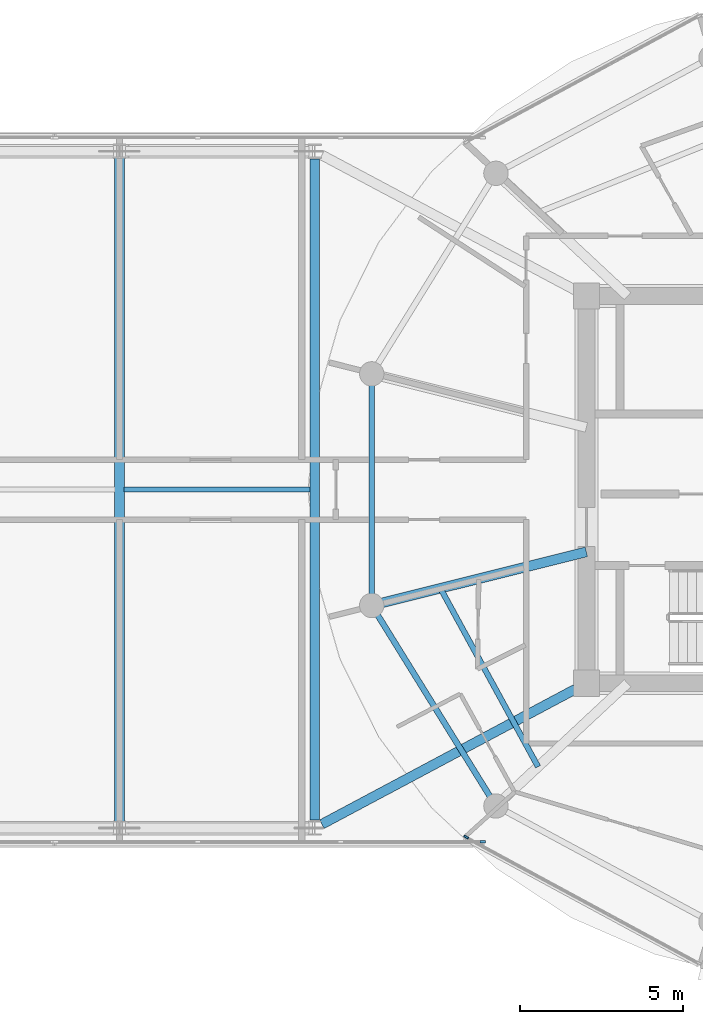
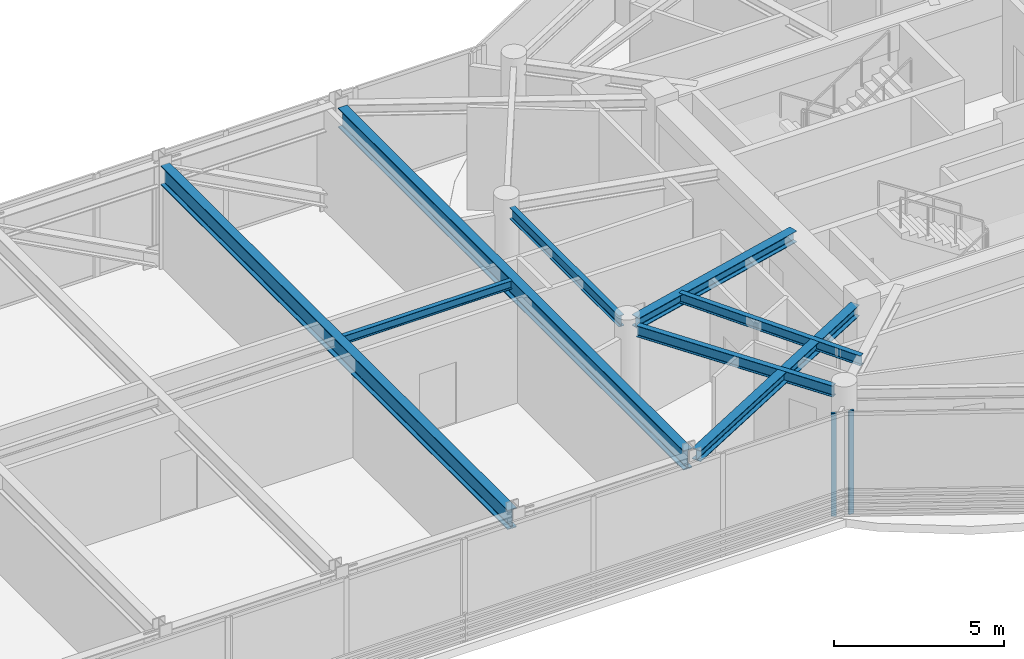
# One storey, part 7 of 24: 8 beams, 2 members, 2 elements without a shape of their own.
"""IFC4 building model written with IfcOpenShell, lengths in metres."""

import ifcopenshell
import ifcopenshell.guid

model = None  # the IFC model being written
_history = None  # IfcOwnerHistory: only IFC2X3 demands one
_inside = {}  # id of a spatial element -> (the spatial element, [elements in it])
_under = {}  # id of a project, library or spatial element -> (it, [spatial elements below it])
_declared = {}  # id of a project -> (the project, [libraries it declares])
_typed = {}  # id of a type object -> (the type object, [elements of that type])
_made_of = {}  # id of a material, layer set ... -> (it, [elements and type objects made of it])


def new_model(schema):
    """Start an empty IFC model of exactly this schema.

    Asked for "IFC4X3", IfcOpenShell would pick the latest addendum, in which some entities
    have other attributes; the version numbers below select the first issue.
    IFC2X3 requires an IfcOwnerHistory on every rooted entity: one is made here for all.
    """
    global model, _history
    if schema == "IFC4X3":
        model = ifcopenshell.file(schema_version=(4, 3, 0, 0))
    else:
        model = ifcopenshell.file(schema=schema)
    _inside.clear()
    _under.clear()
    _declared.clear()
    _typed.clear()
    _made_of.clear()
    _history = None
    if model.schema == "IFC2X3":
        org = make("IfcOrganization", Name="unknown")
        user = make(
            "IfcPersonAndOrganization",
            ThePerson=make("IfcPerson", FamilyName="unknown"),
            TheOrganization=org,
        )
        app = make(
            "IfcApplication",
            ApplicationDeveloper=org,
            Version="unknown",
            ApplicationFullName="unknown",
            ApplicationIdentifier="unknown",
        )
        _history = make(
            "IfcOwnerHistory",
            OwningUser=user,
            OwningApplication=app,
            ChangeAction="ADDED",
            CreationDate=0,
        )
    return model


def make(cls, **values):
    """One entity of the class cls with the attributes given. An attribute that is None is left unset."""
    return model.create_entity(
        cls, **{name: value for name, value in values.items() if value is not None}
    )


def rooted(cls, **values):
    """An entity with a GlobalId (a new one), such as an element, a storey or a relation."""
    return make(cls, GlobalId=ifcopenshell.guid.new(), OwnerHistory=_history, **values)


def si_unit(unit_type, name, prefix=None):
    """IfcSIUnit, for example si_unit("LENGTHUNIT", "METRE", prefix="MILLI")."""
    return make("IfcSIUnit", UnitType=unit_type, Prefix=prefix, Name=name)


def assignment(units):
    """IfcUnitAssignment: the units of a project."""
    return None if units is None else make("IfcUnitAssignment", Units=units)


def point(xyz):
    """IfcCartesianPoint."""
    return None if xyz is None else make("IfcCartesianPoint", Coordinates=xyz)


def direction(xyz):
    """IfcDirection."""
    return None if xyz is None else make("IfcDirection", DirectionRatios=xyz)


def frame(location, z_axis=None, x_axis=None):
    """IfcAxis2Placement3D, a coordinate frame: its origin and axes. An axis left out is left unset."""
    return make(
        "IfcAxis2Placement3D",
        Location=point(location),
        Axis=direction(z_axis),
        RefDirection=direction(x_axis),
    )


def frame_2d(location, x_axis=None):
    """IfcAxis2Placement2D, a coordinate frame in the plane: its origin and x axis."""
    return make(
        "IfcAxis2Placement2D", Location=point(location), RefDirection=direction(x_axis)
    )


def origin():
    """The frame at (0, 0, 0) with its axes left unset."""
    return frame((0.0, 0.0, 0.0))


def origin_2d():
    """The frame at (0, 0) in the plane with its x axis left unset."""
    return frame_2d((0.0, 0.0))


def place(relative_to, where):
    """IfcLocalPlacement: puts the frame where relative to a parent placement (None: the world)."""
    return make(
        "IfcLocalPlacement", PlacementRelTo=relative_to, RelativePlacement=where
    )


def context(
    kind, dimensions, precision=None, world=None, true_north=None, identifier=None
):
    """IfcGeometricRepresentationContext, for example the 3D "Model" context."""
    return make(
        "IfcGeometricRepresentationContext",
        ContextIdentifier=identifier,
        ContextType=kind,
        CoordinateSpaceDimension=dimensions,
        Precision=precision,
        WorldCoordinateSystem=world,
        TrueNorth=true_north,
    )


def subcontext(parent, identifier, kind, view, scale=None):
    """IfcGeometricRepresentationSubContext, for example "Body" below "Model"."""
    return make(
        "IfcGeometricRepresentationSubContext",
        ContextIdentifier=identifier,
        ContextType=kind,
        ParentContext=parent,
        TargetScale=scale,
        TargetView=view,
    )


def project(units=None, contexts=None):
    """IfcProject with its units and contexts."""
    return rooted(
        "IfcProject",
        Name="project",
        RepresentationContexts=contexts,
        UnitsInContext=assignment(units),
    )


def spatial(cls, under=None, at=None, **own):
    """A site, building, storey or space (cls), placed at a placement, below another one or the project."""
    s = rooted(cls, ObjectPlacement=at, **own)
    if under is not None:
        _under.setdefault(under.id(), (under, []))[1].append(s)
    return s


def profile(cls, at=None, kind="AREA", **sizes):
    """A parametric profile (cls). Its sizes go by their IFC names, for example OverallWidth=200.0."""
    return make(cls, ProfileType=kind, Position=at, **sizes)


def rectangle(**sizes):
    """IfcRectangleProfileDef."""
    return profile("IfcRectangleProfileDef", **sizes)


def i_section(**sizes):
    """IfcIShapeProfileDef."""
    return profile("IfcIShapeProfileDef", **sizes)


def extrude(swept, where, along, depth):
    """IfcExtrudedAreaSolid: the profile swept, set in the frame where, extruded along a direction by depth."""
    return make(
        "IfcExtrudedAreaSolid",
        SweptArea=swept,
        Position=where,
        ExtrudedDirection=direction(along),
        Depth=depth,
    )


def shape(context_of_items, identifier, shape_type, items):
    """IfcShapeRepresentation: the items that make up one representation, for example the "Body"."""
    return make(
        "IfcShapeRepresentation",
        ContextOfItems=context_of_items,
        RepresentationIdentifier=identifier,
        RepresentationType=shape_type,
        Items=items,
    )


def source(mapping_origin, context_of_items, identifier, shape_type, items):
    """IfcRepresentationMap: a shape defined once, which mapped items show again and again."""
    return make(
        "IfcRepresentationMap",
        MappingOrigin=mapping_origin,
        MappedRepresentation=shape(context_of_items, identifier, shape_type, items),
    )


def transform(
    local_origin,
    x_axis=None,
    y_axis=None,
    z_axis=None,
    scale=None,
    scale2=None,
    scale3=None,
    uniform=True,
):
    """IfcCartesianTransformationOperator3D, or its non-uniform kind. x_axis, y_axis, z_axis: its Axis1, 2, 3."""
    if uniform:
        return make(
            "IfcCartesianTransformationOperator3D",
            Axis1=direction(x_axis),
            Axis2=direction(y_axis),
            LocalOrigin=point(local_origin),
            Scale=scale,
            Axis3=direction(z_axis),
        )
    return make(
        "IfcCartesianTransformationOperator3DnonUniform",
        Axis1=direction(x_axis),
        Axis2=direction(y_axis),
        LocalOrigin=point(local_origin),
        Scale=scale,
        Axis3=direction(z_axis),
        Scale2=scale2,
        Scale3=scale3,
    )


def mapped(mapping_source, mapping_target):
    """IfcMappedItem: shows the shape of a source again, moved by a transform."""
    return make(
        "IfcMappedItem", MappingSource=mapping_source, MappingTarget=mapping_target
    )


def material(Name=None, Category=None):
    """IfcMaterial."""
    return make("IfcMaterial", Name=Name, Category=Category)


def layer(
    of_material, thickness, ventilated=None, Name=None, Category=None, Priority=None
):
    """IfcMaterialLayer: one layer of a wall or slab, of a material (None: an air gap)."""
    return make(
        "IfcMaterialLayer",
        Material=of_material,
        LayerThickness=thickness,
        IsVentilated=ventilated,
        Name=Name,
        Category=Category,
        Priority=Priority,
    )


def layer_set(layers, Name=None):
    """IfcMaterialLayerSet."""
    return make("IfcMaterialLayerSet", MaterialLayers=layers, LayerSetName=Name)


def material_profile(
    of_material, cross_section, Name=None, Category=None, Priority=None
):
    """IfcMaterialProfile: a cross section and its material."""
    return make(
        "IfcMaterialProfile",
        Name=Name,
        Material=of_material,
        Profile=cross_section,
        Priority=Priority,
        Category=Category,
    )


def profile_set(profiles, Name=None, composite=None):
    """IfcMaterialProfileSet."""
    return make(
        "IfcMaterialProfileSet",
        Name=Name,
        MaterialProfiles=profiles,
        CompositeProfile=composite,
    )


def made_of(thing, what):
    """Note that an element or type object is made of a material, layer set ...; save() writes the relation."""
    if what is not None:
        _made_of.setdefault(what.id(), (what, []))[1].append(thing)
    return thing


def type_object(cls, material=None, **own):
    """A type object (cls), such as IfcWallType, which elements share."""
    return made_of(rooted(cls, **own), material)


def type_shapes(of_type, sources):
    """Give a type object the sources (RepresentationMaps) that its elements show as mapped items."""
    of_type.RepresentationMaps = sources


def element(
    cls,
    number,
    at=None,
    inside=None,
    cuts=None,
    type_object=None,
    material=None,
    context=None,
    identifier="Body",
    shape_type=None,
    held_by="IfcProductDefinitionShape",
    body=None,
    shapes=None,
    **own,
):
    """One element of the class cls, such as IfcWall. Its Tag is "e" and its number.

    at: its placement. inside: the storey or other place that contains it. cuts: it is an
    opening in that element (IfcRelVoidsElement). A single representation is given by context,
    identifier, shape_type and body (its items); several are given by shapes. held_by: the class
    of the entity that holds the representations. save() writes the other relations.
    """
    e = rooted(cls, Tag="e%d" % number, ObjectPlacement=at, **own)
    if body is not None:
        shapes = [shape(context, identifier, shape_type, body)]
    if shapes is not None:
        e.Representation = make(held_by, Representations=shapes)
    if inside is not None:
        _inside.setdefault(inside.id(), (inside, []))[1].append(e)
    if cuts is not None:
        rooted(
            "IfcRelVoidsElement", RelatingBuildingElement=cuts, RelatedOpeningElement=e
        )
    if type_object is not None:
        _typed.setdefault(type_object.id(), (type_object, []))[1].append(e)
    return made_of(e, material)


def aggregate(whole, parts):
    """IfcRelAggregates: a whole, such as a stair, and the parts it consists of."""
    return rooted("IfcRelAggregates", RelatingObject=whole, RelatedObjects=parts)


def save(model, path):
    """Write the relations noted so far, then the file.

    IfcRelAggregates (storeys below a building ...), IfcRelContainedInSpatialStructure (elements
    in a storey), IfcRelDefinesByType, IfcRelAssociatesMaterial and IfcRelDeclares: one each for
    every whole, place, type object, material and project.
    """
    for whole, parts in _under.values():
        aggregate(whole, parts)
    for where, things in _inside.values():
        rooted(
            "IfcRelContainedInSpatialStructure",
            RelatedElements=things,
            RelatingStructure=where,
        )
    for kind, things in _typed.values():
        rooted("IfcRelDefinesByType", RelatedObjects=things, RelatingType=kind)
    for what, things in _made_of.values():
        rooted("IfcRelAssociatesMaterial", RelatedObjects=things, RelatingMaterial=what)
    for by, libraries in _declared.values():
        rooted("IfcRelDeclares", RelatingContext=by, RelatedDefinitions=libraries)
    model.write(path)


model = new_model("IFC4")

# Units and contexts
model_context = context("Model", 3, precision=1e-05, world=origin(), true_north=direction((0.0, 1.0)))
body_context = subcontext(model_context, "Body", "Model", "MODEL_VIEW")
ifc_project = project(units=[si_unit("LENGTHUNIT", "METRE"), si_unit("AREAUNIT", "SQUARE_METRE"), si_unit("VOLUMEUNIT", "CUBIC_METRE"), si_unit("PLANEANGLEUNIT", "RADIAN"), si_unit("MASSUNIT", "GRAM", prefix="KILO")], contexts=[model_context])

# Site, building, storey
site_placement = place(None, origin())
site = spatial("IfcSite", under=ifc_project, at=site_placement, CompositionType="ELEMENT")
building_placement = place(site_placement, origin())
building = spatial("IfcBuilding", under=site, at=building_placement, Name="Norrkilde Senior Care Towers", CompositionType="ELEMENT")
storey_placement = place(building_placement, frame((0.0, 0.0, 203.800048828125)))
storey = spatial("IfcBuildingStorey", under=building, at=storey_placement, Name="L63", CompositionType="ELEMENT", Elevation=203.800048828125)

# Beams
ifc_material_1 = material(Name="Steel S355", Category="steel")
ifc_material_profile_1 = material_profile(ifc_material_1, i_section(OverallWidth=0.179931640625, OverallDepth=0.39990234375, WebThickness=0.008544921875, FlangeThickness=0.013427734375, FilletRadius=0.02099609375, at=origin_2d()), Name="IPE 400")
ifc_profile_set_1 = profile_set([ifc_material_profile_1], Name="Steel S355")
beam_type_1 = type_object("IfcBeamType", Name="Perimeter Ring Spandrel Z4 IPE400", PredefinedType="SPANDREL", material=ifc_profile_set_1)
shared_shape_1 = source(origin(), body_context, "Body", "SweptSolid", [
    extrude(i_section(OverallWidth=0.179931640625, OverallDepth=0.39990234375, WebThickness=0.008544921875, FlangeThickness=0.013427734375, FilletRadius=0.02099609375, at=origin_2d()), origin(), (0.0, 0.0, 1.0), 6.58056640625),
])
beam_1_placement = place(storey_placement, frame((13.928955078125, -3.843505859375, 3.510009765625), z_axis=(0.526529583789, -0.850156807533, 0.0), x_axis=(0.850156807533, 0.526529583789, 0.0)))
element("IfcBeam", 1, at=beam_1_placement, inside=storey, type_object=beam_type_1, Name="L63 Drum E Perimeter Spandrel 07", PredefinedType="SPANDREL", context=body_context, shape_type="MappedRepresentation", body=[
    mapped(shared_shape_1, transform((0.0, 0.0, 0.0), x_axis=(1.0, 0.0, 0.0), y_axis=(0.0, 1.0, 0.0), z_axis=(0.0, 0.0, 1.0), scale=1.0)),
])
ifc_material_profile_2 = material_profile(ifc_material_1, i_section(OverallWidth=0.300048828125, OverallDepth=0.39990234375, WebThickness=0.013427734375, FlangeThickness=0.02392578125, FilletRadius=0.027099609375, at=origin_2d()), Name="HEB 400")
ifc_profile_set_2 = profile_set([ifc_material_profile_2], Name="Steel S355")
beam_type_2 = type_object("IfcBeamType", Name="Radial Floor Beam Z4 HEB400", PredefinedType="BEAM", material=ifc_profile_set_2)
shared_shape_2 = source(origin(), body_context, "Body", "SweptSolid", [
    extrude(i_section(OverallWidth=0.300048828125, OverallDepth=0.39990234375, WebThickness=0.013427734375, FlangeThickness=0.02392578125, FilletRadius=0.027099609375, at=origin_2d()), origin(), (0.0, 0.0, 1.0), 6.465087890625),
])
beam_2_placement = place(storey_placement, frame((20.35009765625, -1.910888671875, 3.510009765625), z_axis=(-0.970195788563, -0.242322371758, 0.0), x_axis=(0.242322371758, -0.970195788563, 0.0)))
element("IfcBeam", 2, at=beam_2_placement, inside=storey, type_object=beam_type_2, Name="L63 Drum E Radial Floor Beam 07", PredefinedType="BEAM", context=body_context, shape_type="MappedRepresentation", body=[
    mapped(shared_shape_2, transform((0.0, 0.0, 0.0), x_axis=(1.0, 0.0, 0.0), y_axis=(0.0, 1.0, 0.0), z_axis=(0.0, 0.0, 1.0), scale=1.0)),
])
shared_shape_3 = source(origin(), body_context, "Body", "SweptSolid", [
    extrude(i_section(OverallWidth=0.179931640625, OverallDepth=0.39990234375, WebThickness=0.008544921875, FlangeThickness=0.013427734375, FilletRadius=0.02099609375, at=origin_2d()), origin(), (0.0, 0.0, 1.0), 6.44775390625),
])
type_shapes(beam_type_1, [shared_shape_1, shared_shape_3])
beam_3_placement = place(storey_placement, frame((13.752685546875, 3.223876953125, 3.510009765625), z_axis=(0.0, -1.0, 0.0), x_axis=(1.0, 0.0, 0.0)))
element("IfcBeam", 3, at=beam_3_placement, inside=storey, type_object=beam_type_1, Name="L63 Drum E Perimeter Spandrel 06", PredefinedType="SPANDREL", context=body_context, shape_type="MappedRepresentation", body=[
    mapped(shared_shape_3, transform((0.0, 0.0, 0.0), x_axis=(1.0, 0.0, 0.0), y_axis=(0.0, 1.0, 0.0), z_axis=(0.0, 0.0, 1.0), scale=1.0)),
])
ifc_material_profile_3 = material_profile(ifc_material_1, i_section(OverallWidth=0.169921875, OverallDepth=0.360107421875, WebThickness=0.008056640625, FlangeThickness=0.0126953125, FilletRadius=0.01806640625, at=origin_2d()), Name="IPE 360")
ifc_profile_set_3 = profile_set([ifc_material_profile_3], Name="Steel S355")
beam_type_3 = type_object("IfcBeamType", Name="Secondary Floor Joist IPE360", PredefinedType="JOIST", material=ifc_profile_set_3)
shared_shape_4 = source(origin(), body_context, "Body", "SweptSolid", [
    extrude(i_section(OverallWidth=0.169921875, OverallDepth=0.360107421875, WebThickness=0.008056640625, FlangeThickness=0.0126953125, FilletRadius=0.01806640625, at=origin_2d()), origin(), (0.0, 0.0, 1.0), 6.25146484375),
])
type_shapes(beam_type_3, [shared_shape_4])
beam_4_placement = place(storey_placement, frame((15.86376953125, -3.031494140625, 3.530029296875), z_axis=(0.480115752653, -0.877205143655, 0.0), x_axis=(0.877205143655, 0.480115752653, 0.0)))
element("IfcBeam", 4, at=beam_4_placement, inside=storey, type_object=beam_type_3, Name="L63 Drum E Secondary Floor Joist 3", PredefinedType="JOIST", context=body_context, shape_type="MappedRepresentation", body=[
    mapped(shared_shape_4, transform((0.0, 0.0, 0.0), x_axis=(1.0, 0.0, 0.0), y_axis=(0.0, 1.0, 0.0), z_axis=(0.0, 0.0, 1.0), scale=1.0)),
])
ifc_material_profile_4 = material_profile(ifc_material_1, i_section(OverallWidth=0.300048828125, OverallDepth=0.699951171875, WebThickness=0.01708984375, FlangeThickness=0.031982421875, FilletRadius=0.027099609375, at=origin_2d()), Name="HEB 700")
ifc_profile_set_4 = profile_set([ifc_material_profile_4], Name="Steel S355")
beam_type_4 = type_object("IfcBeamType", Name="Bridge Cross Girder HEB700", PredefinedType="USERDEFINED", material=ifc_profile_set_4)
shared_shape_5 = source(origin(), body_context, "Body", "SweptSolid", [
    extrude(i_section(OverallWidth=0.300048828125, OverallDepth=0.699951171875, WebThickness=0.01708984375, FlangeThickness=0.031982421875, FilletRadius=0.027099609375, at=origin_2d()), origin(), (0.0, 0.0, 1.0), 20.31982421875),
])
beam_5_placement = place(storey_placement, frame((12.0, -10.159912109375, 3.35986328125), z_axis=(0.0, 1.0, 0.0), x_axis=(-1.0, 0.0, 0.0)))
element("IfcBeam", 5, at=beam_5_placement, inside=storey, type_object=beam_type_4, Name="L63 Sky-Gate Bridge Cross Girder +12", ObjectType="GIRDER", PredefinedType="USERDEFINED", context=body_context, shape_type="MappedRepresentation", body=[
    mapped(shared_shape_5, transform((0.0, 0.0, 0.0), x_axis=(1.0, 0.0, 0.0), y_axis=(0.0, 1.0, 0.0), z_axis=(0.0, 0.0, 1.0), scale=1.0)),
])
shared_shape_6 = source(origin(), body_context, "Body", "SweptSolid", [
    extrude(i_section(OverallWidth=0.300048828125, OverallDepth=0.699951171875, WebThickness=0.01708984375, FlangeThickness=0.031982421875, FilletRadius=0.027099609375, at=origin_2d()), origin(), (0.0, 0.0, 1.0), 20.43994140625),
])
type_shapes(beam_type_4, [shared_shape_5, shared_shape_6])
beam_6_placement = place(storey_placement, frame((6.0, -10.219970703125, 3.35986328125), z_axis=(0.0, 1.0, 0.0), x_axis=(-1.0, 0.0, 0.0)))
element("IfcBeam", 6, at=beam_6_placement, inside=storey, type_object=beam_type_4, Name="L63 Sky-Gate Bridge Cross Girder +6", ObjectType="GIRDER", PredefinedType="USERDEFINED", context=body_context, shape_type="MappedRepresentation", body=[
    mapped(shared_shape_6, transform((0.0, 0.0, 0.0), x_axis=(1.0, 0.0, 0.0), y_axis=(0.0, 1.0, 0.0), z_axis=(0.0, 0.0, 1.0), scale=1.0)),
])
shared_shape_7 = source(origin(), body_context, "Body", "SweptSolid", [
    extrude(i_section(OverallWidth=0.300048828125, OverallDepth=0.39990234375, WebThickness=0.013427734375, FlangeThickness=0.02392578125, FilletRadius=0.027099609375, at=origin_2d()), origin(), (0.0, 0.0, 1.0), 8.831787109375),
])
type_shapes(beam_type_2, [shared_shape_2, shared_shape_7])
beam_7_placement = place(storey_placement, frame((12.220703125, -10.282470703125, 3.510009765625), z_axis=(0.882492172381, 0.470327083727, 0.0), x_axis=(-0.470327083727, 0.882492172381, 0.0)))
element("IfcBeam", 7, at=beam_7_placement, inside=storey, type_object=beam_type_2, Name="L63 Sky-Gate Bridge Girder S6", PredefinedType="BEAM", context=body_context, shape_type="MappedRepresentation", body=[
    mapped(shared_shape_7, transform((0.0, 0.0, 0.0), x_axis=(1.0, 0.0, 0.0), y_axis=(0.0, 1.0, 0.0), z_axis=(0.0, 0.0, 1.0), scale=1.0)),
])
ifc_material_profile_5 = material_profile(ifc_material_1, i_section(OverallWidth=0.14990234375, OverallDepth=0.300048828125, WebThickness=0.007080078125, FlangeThickness=0.0107421875, FilletRadius=0.014892578125, at=origin_2d()), Name="IPE 300")
ifc_profile_set_5 = profile_set([ifc_material_profile_5], Name="Steel S355")
beam_type_5 = type_object("IfcBeamType", Name="Bridge Deck Joist IPE300", PredefinedType="JOIST", material=ifc_profile_set_5)
shared_shape_8 = source(origin(), body_context, "Body", "SweptSolid", [
    extrude(i_section(OverallWidth=0.14990234375, OverallDepth=0.300048828125, WebThickness=0.007080078125, FlangeThickness=0.0107421875, FilletRadius=0.014892578125, at=origin_2d()), origin(), (0.0, 0.0, 1.0), 5.7099609375),
])
type_shapes(beam_type_5, [shared_shape_8])
beam_8_placement = place(storey_placement, frame((6.14501953125, 0.0, 3.56005859375), z_axis=(1.0, 0.0, 0.0), x_axis=(0.0, 1.0, 0.0)))
element("IfcBeam", 8, at=beam_8_placement, inside=storey, type_object=beam_type_5, Name="L63 Bridge Deck Joist 4", PredefinedType="JOIST", context=body_context, shape_type="MappedRepresentation", body=[
    mapped(shared_shape_8, transform((0.0, 0.0, 0.0), x_axis=(1.0, 0.0, 0.0), y_axis=(0.0, 1.0, 0.0), z_axis=(0.0, 0.0, 1.0), scale=1.0)),
])

# Curtain wall, member
ifc_material_2 = material(Name="Triple Low-E Insulated Glazing", Category="glass")
ifc_layer_1 = layer(ifc_material_2, 0.18505859375)
ifc_layer_set_1 = layer_set([ifc_layer_1], Name="Triple Low-E Insulated Glazing")
curtain_wall_type_1 = type_object("IfcCurtainWallType", Name="CW6 Zone 4 Crown Pavilion Curtain Wall", PredefinedType="NOTDEFINED", material=ifc_layer_set_1)
curtain_wall_1_placement = place(storey_placement, origin())
curtain_wall_1 = element("IfcCurtainWall", 9, at=curtain_wall_1_placement, inside=storey, type_object=curtain_wall_type_1, Name="L63 Drum E Curtain Wall 07", PredefinedType="NOTDEFINED")
ifc_material_3 = material(Name="Anodised Aluminium", Category="aluminium")
ifc_material_profile_6 = material_profile(ifc_material_3, rectangle(XDim=0.06494140625, YDim=0.14990234375, at=origin_2d()), Name="ALU MULL 65x150")
ifc_profile_set_6 = profile_set([ifc_material_profile_6], Name="Anodised Aluminium")
member_type_1 = type_object("IfcMemberType", Name="Curtain Wall Mullion Z3-Z4 65x150", PredefinedType="MULLION", material=ifc_profile_set_6)
shared_shape_9 = source(origin(), body_context, "Body", "SweptSolid", [
    extrude(rectangle(XDim=0.06494140625, YDim=0.14990234375, at=origin_2d()), origin(), (0.0, 0.0, 1.0), 3.7099609375),
])
type_shapes(member_type_1, [shared_shape_9])
member_1_placement = place(storey_placement, frame((16.658203125, -10.6787109375, 0.0), z_axis=(0.0, 0.0, 1.0), x_axis=(-0.476132676136, -0.879373455772, 0.0)))
member_1 = element("IfcMember", 10, at=member_1_placement, type_object=member_type_1, Name="CW-6 mullion 2", PredefinedType="MULLION", context=body_context, shape_type="MappedRepresentation", body=[
    mapped(shared_shape_9, transform((0.0, 0.0, 0.0), x_axis=(1.0, 0.0, 0.0), y_axis=(0.0, 1.0, 0.0), z_axis=(0.0, 0.0, 1.0), scale=1.0)),
])
aggregate(curtain_wall_1, [member_1])

ifc_layer_2 = layer(ifc_material_2, 0.2099609375)
ifc_layer_set_2 = layer_set([ifc_layer_2], Name="Triple Low-E Insulated Glazing")
curtain_wall_type_2 = type_object("IfcCurtainWallType", Name="CW5 Sky-Gate Bridge Curtain Wall", PredefinedType="NOTDEFINED", material=ifc_layer_set_2)
curtain_wall_2_placement = place(storey_placement, origin())
curtain_wall_2 = element("IfcCurtainWall", 11, at=curtain_wall_2_placement, inside=storey, type_object=curtain_wall_type_2, Name="L63 Sky-Gate Bridge South Curtain Wall 1", PredefinedType="NOTDEFINED")
ifc_material_profile_7 = material_profile(ifc_material_3, rectangle(XDim=0.070068359375, YDim=0.169921875, at=origin_2d()), Name="ALU MULL 70x170")
ifc_profile_set_7 = profile_set([ifc_material_profile_7], Name="Anodised Aluminium")
member_type_2 = type_object("IfcMemberType", Name="Curtain Wall Mullion Heavy 70x170", PredefinedType="MULLION", material=ifc_profile_set_7)
shared_shape_10 = source(origin(), body_context, "Body", "SweptSolid", [
    extrude(rectangle(XDim=0.070068359375, YDim=0.169921875, at=origin_2d()), origin(), (0.0, 0.0, 1.0), 3.7099609375),
])
type_shapes(member_type_2, [shared_shape_10])
member_2_placement = place(storey_placement, frame((17.1650390625, -10.820068359375, 0.0), z_axis=(0.0, 0.0, 1.0), x_axis=(0.0, -1.0, 0.0)))
member_2 = element("IfcMember", 12, at=member_2_placement, type_object=member_type_2, Name="CW-5 mullion 1", PredefinedType="MULLION", context=body_context, shape_type="MappedRepresentation", body=[
    mapped(shared_shape_10, transform((0.0, 0.0, 0.0), x_axis=(1.0, 0.0, 0.0), y_axis=(0.0, 1.0, 0.0), z_axis=(0.0, 0.0, 1.0), scale=1.0)),
])
aggregate(curtain_wall_2, [member_2])

save(model, "model.ifc")
